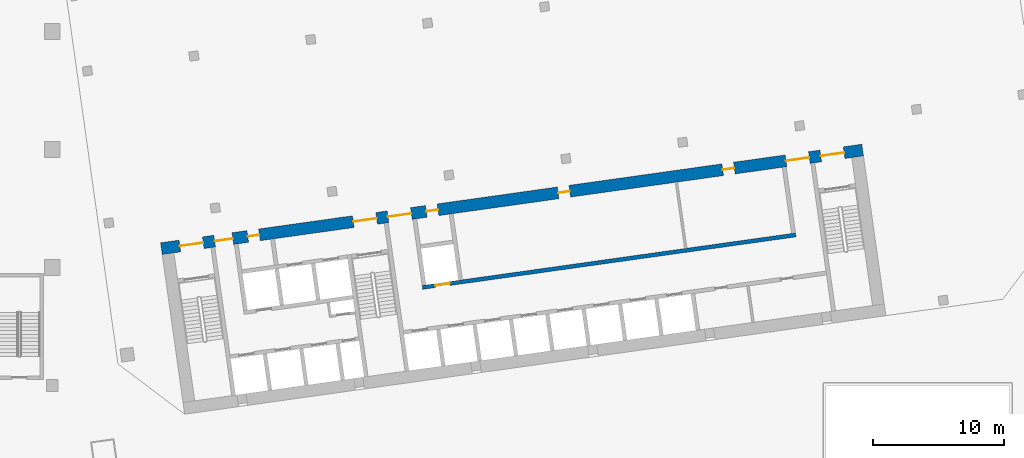
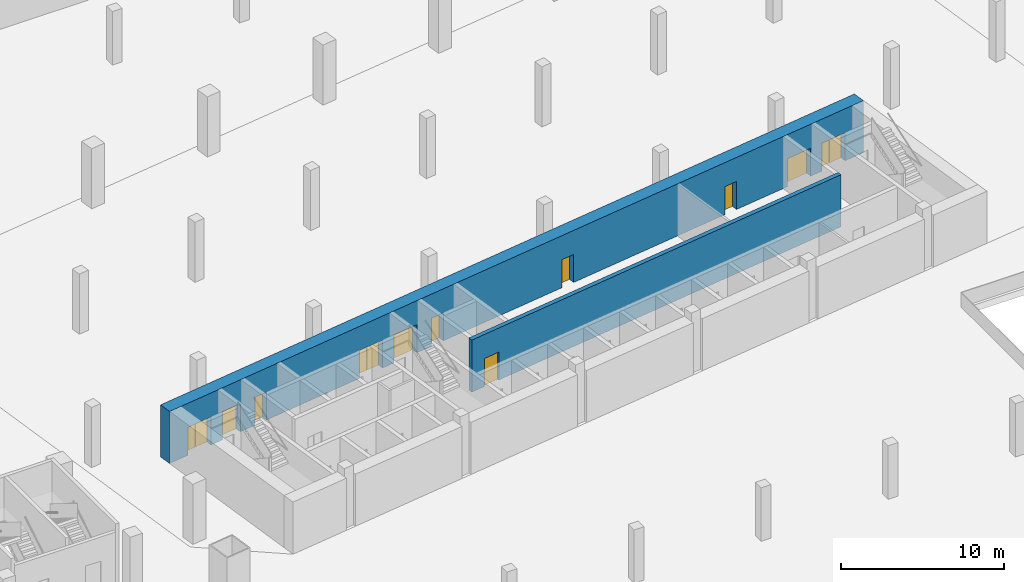
# One storey, part 10 of 17: 11 doors, 2 walls, 11 openings.
"""IFC4 building model written with IfcOpenShell, lengths in metres."""

import ifcopenshell
import ifcopenshell.guid

model = None  # the IFC model being written
_history = None  # IfcOwnerHistory: only IFC2X3 demands one
_inside = {}  # id of a spatial element -> (the spatial element, [elements in it])
_under = {}  # id of a project, library or spatial element -> (it, [spatial elements below it])
_declared = {}  # id of a project -> (the project, [libraries it declares])
_typed = {}  # id of a type object -> (the type object, [elements of that type])
_made_of = {}  # id of a material, layer set ... -> (it, [elements and type objects made of it])


def new_model(schema):
    """Start an empty IFC model of exactly this schema.

    Asked for "IFC4X3", IfcOpenShell would pick the latest addendum, in which some entities
    have other attributes; the version numbers below select the first issue.
    IFC2X3 requires an IfcOwnerHistory on every rooted entity: one is made here for all.
    """
    global model, _history
    if schema == "IFC4X3":
        model = ifcopenshell.file(schema_version=(4, 3, 0, 0))
    else:
        model = ifcopenshell.file(schema=schema)
    _inside.clear()
    _under.clear()
    _declared.clear()
    _typed.clear()
    _made_of.clear()
    _history = None
    if model.schema == "IFC2X3":
        org = make("IfcOrganization", Name="unknown")
        user = make(
            "IfcPersonAndOrganization",
            ThePerson=make("IfcPerson", FamilyName="unknown"),
            TheOrganization=org,
        )
        app = make(
            "IfcApplication",
            ApplicationDeveloper=org,
            Version="unknown",
            ApplicationFullName="unknown",
            ApplicationIdentifier="unknown",
        )
        _history = make(
            "IfcOwnerHistory",
            OwningUser=user,
            OwningApplication=app,
            ChangeAction="ADDED",
            CreationDate=0,
        )
    return model


def make(cls, **values):
    """One entity of the class cls with the attributes given. An attribute that is None is left unset."""
    return model.create_entity(
        cls, **{name: value for name, value in values.items() if value is not None}
    )


def rooted(cls, **values):
    """An entity with a GlobalId (a new one), such as an element, a storey or a relation."""
    return make(cls, GlobalId=ifcopenshell.guid.new(), OwnerHistory=_history, **values)


def si_unit(unit_type, name, prefix=None):
    """IfcSIUnit, for example si_unit("LENGTHUNIT", "METRE", prefix="MILLI")."""
    return make("IfcSIUnit", UnitType=unit_type, Prefix=prefix, Name=name)


def assignment(units):
    """IfcUnitAssignment: the units of a project."""
    return None if units is None else make("IfcUnitAssignment", Units=units)


def point(xyz):
    """IfcCartesianPoint."""
    return None if xyz is None else make("IfcCartesianPoint", Coordinates=xyz)


def direction(xyz):
    """IfcDirection."""
    return None if xyz is None else make("IfcDirection", DirectionRatios=xyz)


def frame(location, z_axis=None, x_axis=None):
    """IfcAxis2Placement3D, a coordinate frame: its origin and axes. An axis left out is left unset."""
    return make(
        "IfcAxis2Placement3D",
        Location=point(location),
        Axis=direction(z_axis),
        RefDirection=direction(x_axis),
    )


def frame_2d(location, x_axis=None):
    """IfcAxis2Placement2D, a coordinate frame in the plane: its origin and x axis."""
    return make(
        "IfcAxis2Placement2D", Location=point(location), RefDirection=direction(x_axis)
    )


def origin():
    """The frame at (0, 0, 0) with its axes left unset."""
    return frame((0.0, 0.0, 0.0))


def place(relative_to, where):
    """IfcLocalPlacement: puts the frame where relative to a parent placement (None: the world)."""
    return make(
        "IfcLocalPlacement", PlacementRelTo=relative_to, RelativePlacement=where
    )


def context(
    kind, dimensions, precision=None, world=None, true_north=None, identifier=None
):
    """IfcGeometricRepresentationContext, for example the 3D "Model" context."""
    return make(
        "IfcGeometricRepresentationContext",
        ContextIdentifier=identifier,
        ContextType=kind,
        CoordinateSpaceDimension=dimensions,
        Precision=precision,
        WorldCoordinateSystem=world,
        TrueNorth=true_north,
    )


def subcontext(parent, identifier, kind, view, scale=None):
    """IfcGeometricRepresentationSubContext, for example "Body" below "Model"."""
    return make(
        "IfcGeometricRepresentationSubContext",
        ContextIdentifier=identifier,
        ContextType=kind,
        ParentContext=parent,
        TargetScale=scale,
        TargetView=view,
    )


def project(units=None, contexts=None):
    """IfcProject with its units and contexts."""
    return rooted(
        "IfcProject",
        Name="project",
        RepresentationContexts=contexts,
        UnitsInContext=assignment(units),
    )


def spatial(cls, under=None, at=None, **own):
    """A site, building, storey or space (cls), placed at a placement, below another one or the project."""
    s = rooted(cls, ObjectPlacement=at, **own)
    if under is not None:
        _under.setdefault(under.id(), (under, []))[1].append(s)
    return s


def profile(cls, at=None, kind="AREA", **sizes):
    """A parametric profile (cls). Its sizes go by their IFC names, for example OverallWidth=200.0."""
    return make(cls, ProfileType=kind, Position=at, **sizes)


def rectangle(**sizes):
    """IfcRectangleProfileDef."""
    return profile("IfcRectangleProfileDef", **sizes)


def extrude(swept, where, along, depth):
    """IfcExtrudedAreaSolid: the profile swept, set in the frame where, extruded along a direction by depth."""
    return make(
        "IfcExtrudedAreaSolid",
        SweptArea=swept,
        Position=where,
        ExtrudedDirection=direction(along),
        Depth=depth,
    )


def shape(context_of_items, identifier, shape_type, items):
    """IfcShapeRepresentation: the items that make up one representation, for example the "Body"."""
    return make(
        "IfcShapeRepresentation",
        ContextOfItems=context_of_items,
        RepresentationIdentifier=identifier,
        RepresentationType=shape_type,
        Items=items,
    )


def material(Name=None, Category=None):
    """IfcMaterial."""
    return make("IfcMaterial", Name=Name, Category=Category)


def layer(
    of_material, thickness, ventilated=None, Name=None, Category=None, Priority=None
):
    """IfcMaterialLayer: one layer of a wall or slab, of a material (None: an air gap)."""
    return make(
        "IfcMaterialLayer",
        Material=of_material,
        LayerThickness=thickness,
        IsVentilated=ventilated,
        Name=Name,
        Category=Category,
        Priority=Priority,
    )


def layer_set(layers, Name=None):
    """IfcMaterialLayerSet."""
    return make("IfcMaterialLayerSet", MaterialLayers=layers, LayerSetName=Name)


def made_of(thing, what):
    """Note that an element or type object is made of a material, layer set ...; save() writes the relation."""
    if what is not None:
        _made_of.setdefault(what.id(), (what, []))[1].append(thing)
    return thing


def type_object(cls, material=None, **own):
    """A type object (cls), such as IfcWallType, which elements share."""
    return made_of(rooted(cls, **own), material)


def element(
    cls,
    number,
    at=None,
    inside=None,
    cuts=None,
    type_object=None,
    material=None,
    context=None,
    identifier="Body",
    shape_type=None,
    held_by="IfcProductDefinitionShape",
    body=None,
    shapes=None,
    **own,
):
    """One element of the class cls, such as IfcWall. Its Tag is "e" and its number.

    at: its placement. inside: the storey or other place that contains it. cuts: it is an
    opening in that element (IfcRelVoidsElement). A single representation is given by context,
    identifier, shape_type and body (its items); several are given by shapes. held_by: the class
    of the entity that holds the representations. save() writes the other relations.
    """
    e = rooted(cls, Tag="e%d" % number, ObjectPlacement=at, **own)
    if body is not None:
        shapes = [shape(context, identifier, shape_type, body)]
    if shapes is not None:
        e.Representation = make(held_by, Representations=shapes)
    if inside is not None:
        _inside.setdefault(inside.id(), (inside, []))[1].append(e)
    if cuts is not None:
        rooted(
            "IfcRelVoidsElement", RelatingBuildingElement=cuts, RelatedOpeningElement=e
        )
    if type_object is not None:
        _typed.setdefault(type_object.id(), (type_object, []))[1].append(e)
    return made_of(e, material)


def fill(opening, filler):
    """IfcRelFillsElement: the door or window that sits in an opening."""
    return rooted(
        "IfcRelFillsElement",
        RelatingOpeningElement=opening,
        RelatedBuildingElement=filler,
    )


def aggregate(whole, parts):
    """IfcRelAggregates: a whole, such as a stair, and the parts it consists of."""
    return rooted("IfcRelAggregates", RelatingObject=whole, RelatedObjects=parts)


def save(model, path):
    """Write the relations noted so far, then the file.

    IfcRelAggregates (storeys below a building ...), IfcRelContainedInSpatialStructure (elements
    in a storey), IfcRelDefinesByType, IfcRelAssociatesMaterial and IfcRelDeclares: one each for
    every whole, place, type object, material and project.
    """
    for whole, parts in _under.values():
        aggregate(whole, parts)
    for where, things in _inside.values():
        rooted(
            "IfcRelContainedInSpatialStructure",
            RelatedElements=things,
            RelatingStructure=where,
        )
    for kind, things in _typed.values():
        rooted("IfcRelDefinesByType", RelatedObjects=things, RelatingType=kind)
    for what, things in _made_of.values():
        rooted("IfcRelAssociatesMaterial", RelatedObjects=things, RelatingMaterial=what)
    for by, libraries in _declared.values():
        rooted("IfcRelDeclares", RelatingContext=by, RelatedDefinitions=libraries)
    model.write(path)


model = new_model("IFC4")

# Units and contexts
model_context = context("Model", 3, precision=1e-05, world=origin(), true_north=direction((0.0, 1.0)))
body_context = subcontext(model_context, "Body", "Model", "MODEL_VIEW")
ifc_project = project(units=[si_unit("LENGTHUNIT", "METRE"), si_unit("AREAUNIT", "SQUARE_METRE"), si_unit("VOLUMEUNIT", "CUBIC_METRE"), si_unit("PLANEANGLEUNIT", "RADIAN"), si_unit("MASSUNIT", "GRAM", prefix="KILO")], contexts=[model_context])

# Site, building, storey
site_placement = place(None, origin())
site = spatial("IfcSite", under=ifc_project, at=site_placement, CompositionType="ELEMENT")
building_placement = place(site_placement, origin())
building = spatial("IfcBuilding", under=site, at=building_placement, Name="Mirante Cascada Hotel Towers", CompositionType="ELEMENT")
storey_placement = place(building_placement, frame((0.0, 0.0, -4.5)))
storey = spatial("IfcBuildingStorey", under=building, at=storey_placement, Name="B1", CompositionType="ELEMENT", Elevation=-4.5)

# Wall, opening, door
ifc_material_1 = material(Name="Concrete C50/60", Category="concrete")
ifc_layer_1 = layer(ifc_material_1, 0.3)
ifc_layer_set_1 = layer_set([ifc_layer_1], Name="RC core wall 300 C50/60")
wall_type_1 = type_object("IfcWallType", Name="RC core wall 300 C50/60", PredefinedType="SHEAR", material=ifc_layer_set_1)
wall_1_placement = place(storey_placement, frame((55.2315, -10.5214, 0.0), z_axis=(0.0, 0.0, 1.0), x_axis=(0.9902682, 0.1391722, 0.0)))
wall_1 = element("IfcWall", 1, at=wall_1_placement, inside=storey, type_object=wall_type_1, Name="Core wall T2:B1:34", PredefinedType="SHEAR", context=body_context, shape_type="SweptSolid", body=[
    extrude(rectangle(XDim=28.75, YDim=0.3, at=frame_2d((14.375, 0.0))), origin(), (0.0, 0.0, 1.0), 3.9),
])
opening_1_placement = place(wall_1_placement, frame((1.0, 0.0, 0.0)))
opening_1 = element("IfcOpeningElement", 2, at=opening_1_placement, cuts=wall_1, Name="Opening LD", PredefinedType="OPENING", context=body_context, shape_type="SweptSolid", body=[
    extrude(rectangle(XDim=1.1, YDim=2.1, at=frame_2d((0.55, 1.05))), frame((0.0, 0.15, 0.0), z_axis=(0.0, -1.0, 0.0), x_axis=(1.0, 0.0, 0.0)), (0.0, 0.0, 1.0), 0.3),
])
ifc_material_2 = material(Name="Stainless steel", Category="steel")
door_type_1 = type_object("IfcDoorType", Name="Lift landing door 1100x2100 EI 120", OperationType="DOUBLE_DOOR_SLIDING", PredefinedType="DOOR", material=ifc_material_2)
door_1_placement = place(opening_1_placement, origin())
door_1 = element("IfcDoor", 3, at=door_1_placement, inside=storey, type_object=door_type_1, Name="Lift landing door LR2-3 B1", OperationType="DOUBLE_DOOR_SLIDING", OverallHeight=2.1, OverallWidth=1.1, PredefinedType="DOOR", context=body_context, shape_type="SweptSolid", body=[
    extrude(rectangle(XDim=0.545, YDim=2.1, at=frame_2d((0.2725, 1.05))), frame((0.0, 0.025, 0.0), z_axis=(0.0, -1.0, 0.0), x_axis=(1.0, 0.0, 0.0)), (0.0, 0.0, 1.0), 0.05),
    extrude(rectangle(XDim=0.545, YDim=2.1, at=frame_2d((0.8275, 1.05))), frame((0.0, 0.025, 0.0), z_axis=(0.0, -1.0, 0.0), x_axis=(1.0, 0.0, 0.0)), (0.0, 0.0, 1.0), 0.05),
])
fill(opening_1, door_1)

# Wall, openings, doors
ifc_material_3 = material(Name="Concrete C50/60", Category="concrete")
ifc_layer_2 = layer(ifc_material_3, 0.9)
ifc_layer_set_2 = layer_set([ifc_layer_2], Name="RC core wall 900 C50/60")
wall_type_2 = type_object("IfcWallType", Name="RC core wall 900 C50/60", PredefinedType="SHEAR", material=ifc_layer_set_2)
wall_2_placement = place(storey_placement, frame((35.326, -7.5629, 0.0), z_axis=(0.0, 0.0, 1.0), x_axis=(0.9902679, 0.139174, 0.0)))
wall_2 = element("IfcWall", 4, at=wall_2_placement, inside=storey, type_object=wall_type_2, Name="Core wall T2:B1:2", PredefinedType="SHEAR", context=body_context, shape_type="SweptSolid", body=[
    extrude(rectangle(XDim=54.0, YDim=0.9, at=frame_2d((27.0, 0.0))), origin(), (0.0, 0.0, 1.0), 3.9),
])
opening_2_placement = place(wall_2_placement, frame((1.425, 0.0, 0.0)))
opening_2 = element("IfcOpeningElement", 5, at=opening_2_placement, cuts=wall_2, Name="Opening D2-B1-C17", PredefinedType="OPENING", context=body_context, shape_type="SweptSolid", body=[
    extrude(rectangle(XDim=1.8, YDim=2.1, at=frame_2d((0.9, 1.05))), frame((0.0, 0.45, 0.0), z_axis=(0.0, -1.0, 0.0), x_axis=(1.0, 0.0, 0.0)), (0.0, 0.0, 1.0), 0.9),
])
opening_3_placement = place(wall_2_placement, frame((14.775, 0.0, 0.0)))
opening_3 = element("IfcOpeningElement", 6, at=opening_3_placement, cuts=wall_2, Name="Opening D2-B1-C19", PredefinedType="OPENING", context=body_context, shape_type="SweptSolid", body=[
    extrude(rectangle(XDim=1.8, YDim=2.1, at=frame_2d((0.9, 1.05))), frame((0.0, 0.45, 0.0), z_axis=(0.0, -1.0, 0.0), x_axis=(1.0, 0.0, 0.0)), (0.0, 0.0, 1.0), 0.9),
])
opening_4_placement = place(wall_2_placement, frame((50.775, 0.0, 0.0)))
opening_4 = element("IfcOpeningElement", 7, at=opening_4_placement, cuts=wall_2, Name="Opening D2-B1-C21", PredefinedType="OPENING", context=body_context, shape_type="SweptSolid", body=[
    extrude(rectangle(XDim=1.8, YDim=2.1, at=frame_2d((0.9, 1.05))), frame((0.0, 0.45, 0.0), z_axis=(0.0, -1.0, 0.0), x_axis=(1.0, 0.0, 0.0)), (0.0, 0.0, 1.0), 0.9),
])
opening_5_placement = place(wall_2_placement, frame((4.1, 0.0, 0.0)))
opening_5 = element("IfcOpeningElement", 8, at=opening_5_placement, cuts=wall_2, Name="Opening D2-B1-C22", PredefinedType="OPENING", context=body_context, shape_type="SweptSolid", body=[
    extrude(rectangle(XDim=1.4, YDim=2.1, at=frame_2d((0.7, 1.05))), frame((0.0, 0.45, 0.0), z_axis=(0.0, -1.0, 0.0), x_axis=(1.0, 0.0, 0.0)), (0.0, 0.0, 1.0), 0.9),
])
opening_6_placement = place(wall_2_placement, frame((17.45, 0.0, 0.0)))
opening_6 = element("IfcOpeningElement", 9, at=opening_6_placement, cuts=wall_2, Name="Opening D2-B1-C23", PredefinedType="OPENING", context=body_context, shape_type="SweptSolid", body=[
    extrude(rectangle(XDim=1.8, YDim=2.1, at=frame_2d((0.9, 1.05))), frame((0.0, 0.45, 0.0), z_axis=(0.0, -1.0, 0.0), x_axis=(1.0, 0.0, 0.0)), (0.0, 0.0, 1.0), 0.9),
])
opening_7_placement = place(wall_2_placement, frame((48.1, 0.0, 0.0)))
opening_7 = element("IfcOpeningElement", 10, at=opening_7_placement, cuts=wall_2, Name="Opening D2-B1-C24", PredefinedType="OPENING", context=body_context, shape_type="SweptSolid", body=[
    extrude(rectangle(XDim=1.8, YDim=2.1, at=frame_2d((0.9, 1.05))), frame((0.0, 0.45, 0.0), z_axis=(0.0, -1.0, 0.0), x_axis=(1.0, 0.0, 0.0)), (0.0, 0.0, 1.0), 0.9),
])
opening_8_placement = place(wall_2_placement, frame((6.65, 0.0, 0.0)))
opening_8 = element("IfcOpeningElement", 11, at=opening_8_placement, cuts=wall_2, Name="Opening D2-B1-C27", PredefinedType="OPENING", context=body_context, shape_type="SweptSolid", body=[
    extrude(rectangle(XDim=0.9, YDim=2.1, at=frame_2d((0.45, 1.05))), frame((0.0, 0.45, 0.0), z_axis=(0.0, -1.0, 0.0), x_axis=(1.0, 0.0, 0.0)), (0.0, 0.0, 1.0), 0.9),
])
opening_9_placement = place(wall_2_placement, frame((20.4, 0.0, 0.0)))
opening_9 = element("IfcOpeningElement", 12, at=opening_9_placement, cuts=wall_2, Name="Opening D2-B1-C30", PredefinedType="OPENING", context=body_context, shape_type="SweptSolid", body=[
    extrude(rectangle(XDim=0.9, YDim=2.1, at=frame_2d((0.45, 1.05))), frame((0.0, 0.45, 0.0), z_axis=(0.0, -1.0, 0.0), x_axis=(1.0, 0.0, 0.0)), (0.0, 0.0, 1.0), 0.9),
])
opening_10_placement = place(wall_2_placement, frame((30.55, 0.0, 0.0)))
opening_10 = element("IfcOpeningElement", 13, at=opening_10_placement, cuts=wall_2, Name="Opening D2-B1-C31", PredefinedType="OPENING", context=body_context, shape_type="SweptSolid", body=[
    extrude(rectangle(XDim=0.9, YDim=2.1, at=frame_2d((0.45, 1.05))), frame((0.0, 0.45, 0.0), z_axis=(0.0, -1.0, 0.0), x_axis=(1.0, 0.0, 0.0)), (0.0, 0.0, 1.0), 0.9),
])
opening_11_placement = place(wall_2_placement, frame((43.225, 0.0, 0.0)))
opening_11 = element("IfcOpeningElement", 14, at=opening_11_placement, cuts=wall_2, Name="Opening D2-B1-C32", PredefinedType="OPENING", context=body_context, shape_type="SweptSolid", body=[
    extrude(rectangle(XDim=0.9, YDim=2.1, at=frame_2d((0.45, 1.05))), frame((0.0, 0.45, 0.0), z_axis=(0.0, -1.0, 0.0), x_axis=(1.0, 0.0, 0.0)), (0.0, 0.0, 1.0), 0.9),
])
ifc_material_4 = material(Name="Hollow metal fire door leaf")
door_type_2 = type_object("IfcDoorType", Name="Double fire door 1400x2100 FD60", OperationType="DOUBLE_DOOR_SINGLE_SWING", PredefinedType="DOOR", material=ifc_material_4)
door_2_placement = place(opening_5_placement, origin())
door_2 = element("IfcDoor", 15, at=door_2_placement, inside=storey, type_object=door_type_2, Name="Exit door to gallery T2 B1 22", OperationType="DOUBLE_DOOR_SINGLE_SWING", OverallHeight=2.1, OverallWidth=1.4, PredefinedType="DOOR", context=body_context, shape_type="SweptSolid", body=[
    extrude(rectangle(XDim=0.695, YDim=2.1, at=frame_2d((0.3475, 1.05))), frame((0.0, 0.025, 0.0), z_axis=(0.0, -1.0, 0.0), x_axis=(1.0, 0.0, 0.0)), (0.0, 0.0, 1.0), 0.05),
    extrude(rectangle(XDim=0.695, YDim=2.1, at=frame_2d((1.0525, 1.05))), frame((0.0, 0.025, 0.0), z_axis=(0.0, -1.0, 0.0), x_axis=(1.0, 0.0, 0.0)), (0.0, 0.0, 1.0), 0.05),
])
fill(opening_5, door_2)
ifc_material_5 = material(Name="Hollow metal fire door leaf")
door_type_3 = type_object("IfcDoorType", Name="Double fire door 1800x2100 FD60", OperationType="DOUBLE_DOOR_SINGLE_SWING", PredefinedType="DOOR", material=ifc_material_5)
door_3_placement = place(opening_2_placement, frame((1.8, 0.0, 0.0), z_axis=(0.0, 0.0, 1.0), x_axis=(-1.0, 0.0, 0.0)))
door_3 = element("IfcDoor", 16, at=door_3_placement, inside=storey, type_object=door_type_3, Name="Exit door to gallery T2 B1 17", OperationType="DOUBLE_DOOR_SINGLE_SWING", OverallHeight=2.1, OverallWidth=1.8, PredefinedType="DOOR", context=body_context, shape_type="SweptSolid", body=[
    extrude(rectangle(XDim=0.895, YDim=2.1, at=frame_2d((0.4475, 1.05))), frame((0.0, 0.025, 0.0), z_axis=(0.0, -1.0, 0.0), x_axis=(1.0, 0.0, 0.0)), (0.0, 0.0, 1.0), 0.05),
    extrude(rectangle(XDim=0.895, YDim=2.1, at=frame_2d((1.3525, 1.05))), frame((0.0, 0.025, 0.0), z_axis=(0.0, -1.0, 0.0), x_axis=(1.0, 0.0, 0.0)), (0.0, 0.0, 1.0), 0.05),
])
fill(opening_2, door_3)
door_4_placement = place(opening_3_placement, frame((1.8, 0.0, 0.0), z_axis=(0.0, 0.0, 1.0), x_axis=(-1.0, 0.0, 0.0)))
door_4 = element("IfcDoor", 17, at=door_4_placement, inside=storey, type_object=door_type_3, Name="Exit door to gallery T2 B1 19", OperationType="DOUBLE_DOOR_SINGLE_SWING", OverallHeight=2.1, OverallWidth=1.8, PredefinedType="DOOR", context=body_context, shape_type="SweptSolid", body=[
    extrude(rectangle(XDim=0.895, YDim=2.1, at=frame_2d((0.4475, 1.05))), frame((0.0, 0.025, 0.0), z_axis=(0.0, -1.0, 0.0), x_axis=(1.0, 0.0, 0.0)), (0.0, 0.0, 1.0), 0.05),
    extrude(rectangle(XDim=0.895, YDim=2.1, at=frame_2d((1.3525, 1.05))), frame((0.0, 0.025, 0.0), z_axis=(0.0, -1.0, 0.0), x_axis=(1.0, 0.0, 0.0)), (0.0, 0.0, 1.0), 0.05),
])
fill(opening_3, door_4)
door_5_placement = place(opening_4_placement, frame((1.8, 0.0, 0.0), z_axis=(0.0, 0.0, 1.0), x_axis=(-1.0, 0.0, 0.0)))
door_5 = element("IfcDoor", 18, at=door_5_placement, inside=storey, type_object=door_type_3, Name="Exit door to gallery T2 B1 21", OperationType="DOUBLE_DOOR_SINGLE_SWING", OverallHeight=2.1, OverallWidth=1.8, PredefinedType="DOOR", context=body_context, shape_type="SweptSolid", body=[
    extrude(rectangle(XDim=0.895, YDim=2.1, at=frame_2d((0.4475, 1.05))), frame((0.0, 0.025, 0.0), z_axis=(0.0, -1.0, 0.0), x_axis=(1.0, 0.0, 0.0)), (0.0, 0.0, 1.0), 0.05),
    extrude(rectangle(XDim=0.895, YDim=2.1, at=frame_2d((1.3525, 1.05))), frame((0.0, 0.025, 0.0), z_axis=(0.0, -1.0, 0.0), x_axis=(1.0, 0.0, 0.0)), (0.0, 0.0, 1.0), 0.05),
])
fill(opening_4, door_5)
door_6_placement = place(opening_6_placement, origin())
door_6 = element("IfcDoor", 19, at=door_6_placement, inside=storey, type_object=door_type_3, Name="Exit door to gallery T2 B1 23", OperationType="DOUBLE_DOOR_SINGLE_SWING", OverallHeight=2.1, OverallWidth=1.8, PredefinedType="DOOR", context=body_context, shape_type="SweptSolid", body=[
    extrude(rectangle(XDim=0.895, YDim=2.1, at=frame_2d((0.4475, 1.05))), frame((0.0, 0.025, 0.0), z_axis=(0.0, -1.0, 0.0), x_axis=(1.0, 0.0, 0.0)), (0.0, 0.0, 1.0), 0.05),
    extrude(rectangle(XDim=0.895, YDim=2.1, at=frame_2d((1.3525, 1.05))), frame((0.0, 0.025, 0.0), z_axis=(0.0, -1.0, 0.0), x_axis=(1.0, 0.0, 0.0)), (0.0, 0.0, 1.0), 0.05),
])
fill(opening_6, door_6)
door_7_placement = place(opening_7_placement, origin())
door_7 = element("IfcDoor", 20, at=door_7_placement, inside=storey, type_object=door_type_3, Name="Exit door to gallery T2 B1 24", OperationType="DOUBLE_DOOR_SINGLE_SWING", OverallHeight=2.1, OverallWidth=1.8, PredefinedType="DOOR", context=body_context, shape_type="SweptSolid", body=[
    extrude(rectangle(XDim=0.895, YDim=2.1, at=frame_2d((0.4475, 1.05))), frame((0.0, 0.025, 0.0), z_axis=(0.0, -1.0, 0.0), x_axis=(1.0, 0.0, 0.0)), (0.0, 0.0, 1.0), 0.05),
    extrude(rectangle(XDim=0.895, YDim=2.1, at=frame_2d((1.3525, 1.05))), frame((0.0, 0.025, 0.0), z_axis=(0.0, -1.0, 0.0), x_axis=(1.0, 0.0, 0.0)), (0.0, 0.0, 1.0), 0.05),
])
fill(opening_7, door_7)
ifc_material_6 = material(Name="Hollow metal fire door leaf")
door_type_4 = type_object("IfcDoorType", Name="Fire door 900x2100 FD60", OperationType="NOTDEFINED", PredefinedType="DOOR", material=ifc_material_6)
door_8_placement = place(opening_8_placement, frame((0.9, 0.0, 0.0), z_axis=(0.0, 0.0, 1.0), x_axis=(-1.0, 0.0, 0.0)))
door_8 = element("IfcDoor", 21, at=door_8_placement, inside=storey, type_object=door_type_4, Name="Room door T2 B1 27", OperationType="SINGLE_SWING_LEFT", OverallHeight=2.1, OverallWidth=0.9, PredefinedType="DOOR", context=body_context, shape_type="SweptSolid", body=[
    extrude(rectangle(XDim=0.9, YDim=2.1, at=frame_2d((0.45, 1.05))), frame((0.0, 0.025, 0.0), z_axis=(0.0, -1.0, 0.0), x_axis=(1.0, 0.0, 0.0)), (0.0, 0.0, 1.0), 0.05),
])
fill(opening_8, door_8)
door_9_placement = place(opening_9_placement, frame((0.9, 0.0, 0.0), z_axis=(0.0, 0.0, 1.0), x_axis=(-1.0, 0.0, 0.0)))
door_9 = element("IfcDoor", 22, at=door_9_placement, inside=storey, type_object=door_type_4, Name="Room door T2 B1 30", OperationType="SINGLE_SWING_LEFT", OverallHeight=2.1, OverallWidth=0.9, PredefinedType="DOOR", context=body_context, shape_type="SweptSolid", body=[
    extrude(rectangle(XDim=0.9, YDim=2.1, at=frame_2d((0.45, 1.05))), frame((0.0, 0.025, 0.0), z_axis=(0.0, -1.0, 0.0), x_axis=(1.0, 0.0, 0.0)), (0.0, 0.0, 1.0), 0.05),
])
fill(opening_9, door_9)
door_10_placement = place(opening_10_placement, frame((0.9, 0.0, 0.0), z_axis=(0.0, 0.0, 1.0), x_axis=(-1.0, 0.0, 0.0)))
door_10 = element("IfcDoor", 23, at=door_10_placement, inside=storey, type_object=door_type_4, Name="Room door T2 B1 31", OperationType="SINGLE_SWING_RIGHT", OverallHeight=2.1, OverallWidth=0.9, PredefinedType="DOOR", context=body_context, shape_type="SweptSolid", body=[
    extrude(rectangle(XDim=0.9, YDim=2.1, at=frame_2d((0.45, 1.05))), frame((0.0, 0.025, 0.0), z_axis=(0.0, -1.0, 0.0), x_axis=(1.0, 0.0, 0.0)), (0.0, 0.0, 1.0), 0.05),
])
fill(opening_10, door_10)
door_11_placement = place(opening_11_placement, frame((0.9, 0.0, 0.0), z_axis=(0.0, 0.0, 1.0), x_axis=(-1.0, 0.0, 0.0)))
door_11 = element("IfcDoor", 24, at=door_11_placement, inside=storey, type_object=door_type_4, Name="Room door T2 B1 32", OperationType="SINGLE_SWING_RIGHT", OverallHeight=2.1, OverallWidth=0.9, PredefinedType="DOOR", context=body_context, shape_type="SweptSolid", body=[
    extrude(rectangle(XDim=0.9, YDim=2.1, at=frame_2d((0.45, 1.05))), frame((0.0, 0.025, 0.0), z_axis=(0.0, -1.0, 0.0), x_axis=(1.0, 0.0, 0.0)), (0.0, 0.0, 1.0), 0.05),
])
fill(opening_11, door_11)

save(model, "model.ifc")
